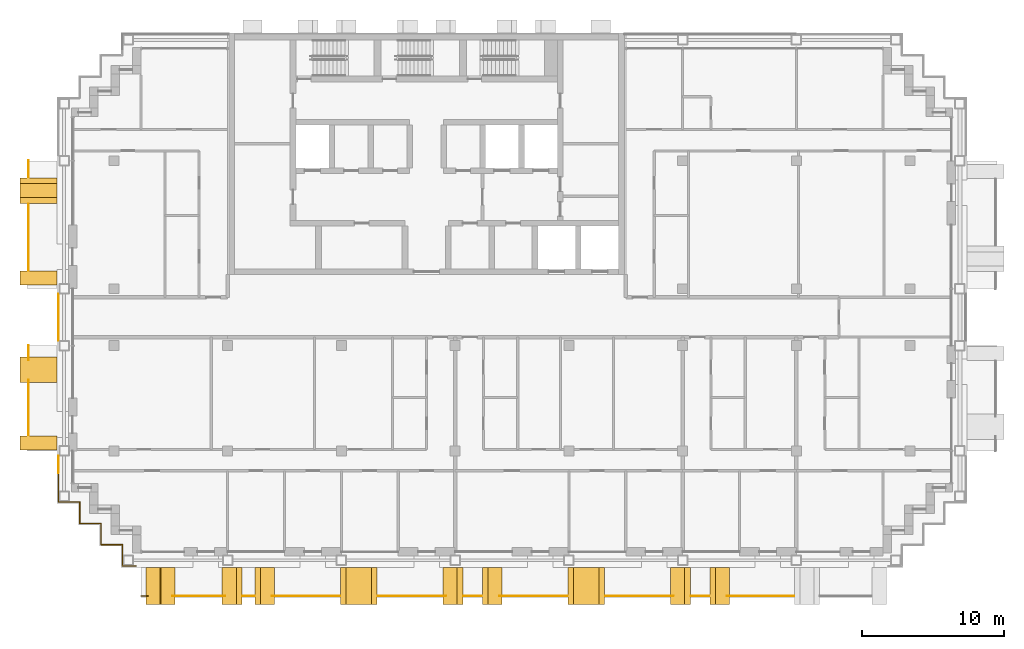
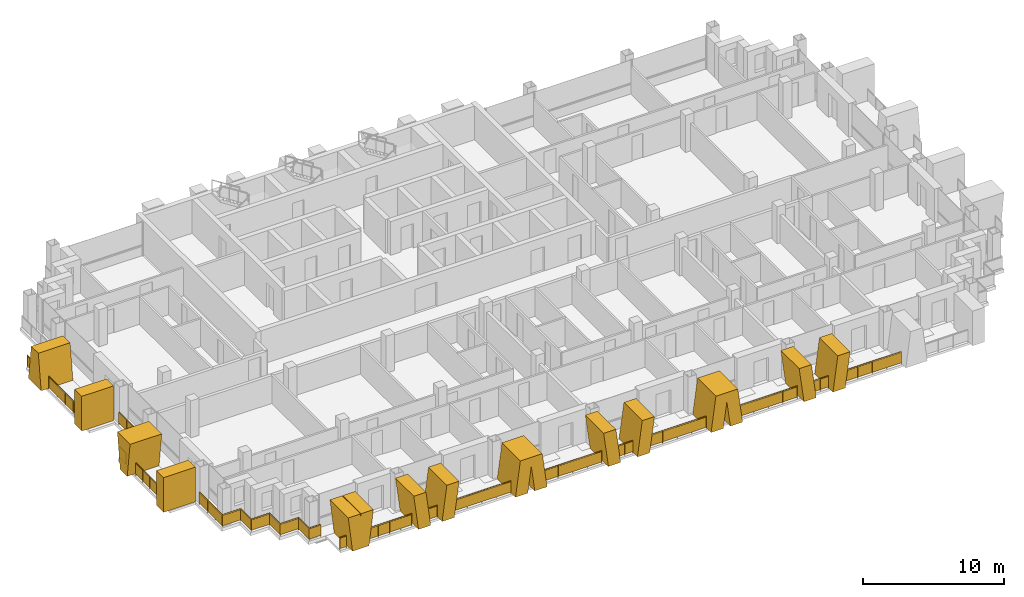
# One storey, part 13 of 16: 17 railings, 13 shading devices.
"""IFC4 building model written with IfcOpenShell, lengths in metres."""

from ifc_helpers import new_model, si_unit, direction, frame, origin, origin_2d, place, context, subcontext, project, spatial, polyline, rectangle, circle, outline, extrude, material, layer, layer_set, type_object, element, save


model = new_model("IFC4")

# Units and contexts
model_context = context("Model", 3, precision=1e-05, world=origin(), true_north=direction((0.0, 1.0)))
body_context = subcontext(model_context, "Body", "Model", "MODEL_VIEW")
ifc_project = project(units=[si_unit("LENGTHUNIT", "METRE"), si_unit("AREAUNIT", "SQUARE_METRE"), si_unit("VOLUMEUNIT", "CUBIC_METRE"), si_unit("PLANEANGLEUNIT", "RADIAN"), si_unit("MASSUNIT", "GRAM", prefix="KILO")], contexts=[model_context])

# Site, building, storey
site_placement = place(None, origin())
site = spatial("IfcSite", under=ifc_project, at=site_placement, CompositionType="ELEMENT")
building_placement = place(site_placement, origin())
building = spatial("IfcBuilding", under=site, at=building_placement, Name="Vidyagriha Tower", CompositionType="ELEMENT")
storey_placement = place(building_placement, frame((0.0, 0.0, 174.89990234375)))
storey = spatial("IfcBuildingStorey", under=building, at=storey_placement, Name="L45", CompositionType="ELEMENT", Elevation=174.89990234375)

# Railings
ifc_material_1 = material(Name="Steel ASTM A500 Grade C black painted", Category="steel")
railing_type_1 = type_object("IfcRailingType", Name="Balcony guard 1100", PredefinedType="BALUSTRADE", material=ifc_material_1)
railing_1_placement = place(storey_placement, frame((-28.0, 11.0, 0.0)))
element("IfcRailing", 1, at=railing_1_placement, inside=storey, type_object=railing_type_1, Name="Balcony guard L45 R16.1-1", PredefinedType="BALUSTRADE", context=body_context, shape_type="SweptSolid", body=[
    extrude(circle(Radius=0.02490234375, at=origin_2d()), frame((0.0, 0.0, 1.0751953125), z_axis=(0.0, -1.0, 0.0), x_axis=(1.0, 0.0, 0.0)), (0.0, 0.0, 1.0), 1.14990234375),
    extrude(circle(Radius=0.02001953125, at=origin_2d()), origin(), (0.0, 0.0, 1.0), 1.050048828125),
    extrude(circle(Radius=0.02001953125, at=origin_2d()), frame((0.0, -1.14990234375, 0.0)), (0.0, 0.0, 1.0), 1.050048828125),
    extrude(rectangle(XDim=0.010009765625, YDim=0.900146484375, at=origin_2d()), frame((0.0, 0.0, 0.550048828125), z_axis=(0.0, -1.0, 0.0), x_axis=(1.0, 0.0, 0.0)), (0.0, 0.0, 1.0), 1.14990234375),
])
railing_2_placement = place(storey_placement, frame((-28.0, 7.949951171875, 0.0)))
element("IfcRailing", 2, at=railing_2_placement, inside=storey, type_object=railing_type_1, Name="Balcony guard L45 R16.1-2", PredefinedType="BALUSTRADE", context=body_context, shape_type="SweptSolid", body=[
    extrude(circle(Radius=0.02490234375, at=origin_2d()), frame((0.0, 0.0, 1.0751953125), z_axis=(0.0, -1.0, 0.0), x_axis=(1.0, 0.0, 0.0)), (0.0, 0.0, 1.0), 4.64990234375),
    extrude(circle(Radius=0.02001953125, at=origin_2d()), origin(), (0.0, 0.0, 1.0), 1.050048828125),
    extrude(circle(Radius=0.02001953125, at=origin_2d()), frame((0.0, -1.16259765625, 0.0)), (0.0, 0.0, 1.0), 1.050048828125),
    extrude(circle(Radius=0.02001953125, at=origin_2d()), frame((0.0, -2.324951171875, 0.0)), (0.0, 0.0, 1.0), 1.050048828125),
    extrude(circle(Radius=0.02001953125, at=origin_2d()), frame((0.0, -3.4873046875, 0.0)), (0.0, 0.0, 1.0), 1.050048828125),
    extrude(circle(Radius=0.02001953125, at=origin_2d()), frame((0.0, -4.64990234375, 0.0)), (0.0, 0.0, 1.0), 1.050048828125),
    extrude(rectangle(XDim=0.010009765625, YDim=0.900146484375, at=origin_2d()), frame((0.0, 0.0, 0.550048828125), z_axis=(0.0, -1.0, 0.0), x_axis=(1.0, 0.0, 0.0)), (0.0, 0.0, 1.0), 4.64990234375),
])
railing_3_placement = place(storey_placement, frame((-28.0, -2.0, 0.0)))
element("IfcRailing", 3, at=railing_3_placement, inside=storey, type_object=railing_type_1, Name="Balcony guard L45 R16.2-1", PredefinedType="BALUSTRADE", context=body_context, shape_type="SweptSolid", body=[
    extrude(circle(Radius=0.02490234375, at=origin_2d()), frame((0.0, 0.0, 1.0751953125), z_axis=(0.0, -1.0, 0.0), x_axis=(1.0, 0.0, 0.0)), (0.0, 0.0, 1.0), 0.99658203125),
    extrude(circle(Radius=0.02001953125, at=origin_2d()), origin(), (0.0, 0.0, 1.0), 1.050048828125),
    extrude(circle(Radius=0.02001953125, at=origin_2d()), frame((0.0, -0.99658203125, 0.0)), (0.0, 0.0, 1.0), 1.050048828125),
    extrude(rectangle(XDim=0.010009765625, YDim=0.900146484375, at=origin_2d()), frame((0.0, 0.0, 0.550048828125), z_axis=(0.0, -1.0, 0.0), x_axis=(1.0, 0.0, 0.0)), (0.0, 0.0, 1.0), 0.99658203125),
])
railing_4_placement = place(storey_placement, frame((-28.0, -4.4033203125, 0.0)))
element("IfcRailing", 4, at=railing_4_placement, inside=storey, type_object=railing_type_1, Name="Balcony guard L45 R16.2-2", PredefinedType="BALUSTRADE", context=body_context, shape_type="SweptSolid", body=[
    extrude(circle(Radius=0.02490234375, at=origin_2d()), frame((0.0, 0.0, 1.0751953125), z_axis=(0.0, -1.0, 0.0), x_axis=(1.0, 0.0, 0.0)), (0.0, 0.0, 1.0), 3.896728515625),
    extrude(circle(Radius=0.02001953125, at=origin_2d()), origin(), (0.0, 0.0, 1.0), 1.050048828125),
    extrude(circle(Radius=0.02001953125, at=origin_2d()), frame((0.0, -0.97412109375, 0.0)), (0.0, 0.0, 1.0), 1.050048828125),
    extrude(circle(Radius=0.02001953125, at=origin_2d()), frame((0.0, -1.9482421875, 0.0)), (0.0, 0.0, 1.0), 1.050048828125),
    extrude(circle(Radius=0.02001953125, at=origin_2d()), frame((0.0, -2.922607421875, 0.0)), (0.0, 0.0, 1.0), 1.050048828125),
    extrude(circle(Radius=0.02001953125, at=origin_2d()), frame((0.0, -3.896728515625, 0.0)), (0.0, 0.0, 1.0), 1.050048828125),
    extrude(rectangle(XDim=0.010009765625, YDim=0.900146484375, at=origin_2d()), frame((0.0, 0.0, 0.550048828125), z_axis=(0.0, -1.0, 0.0), x_axis=(1.0, 0.0, 0.0)), (0.0, 0.0, 1.0), 3.896728515625),
])
railing_5_placement = place(storey_placement, frame((-20.10009765625, -19.60009765625, 0.0)))
element("IfcRailing", 5, at=railing_5_placement, inside=storey, type_object=railing_type_1, Name="Balcony guard L45 R23.1-1", PredefinedType="BALUSTRADE", context=body_context, shape_type="SweptSolid", body=[
    extrude(circle(Radius=0.02490234375, at=origin_2d()), frame((0.0, 0.0, 1.0751953125), z_axis=(1.0, 0.0, 0.0), x_axis=(0.0, 1.0, 0.0)), (0.0, 0.0, 1.0), 0.515869140625),
    extrude(circle(Radius=0.02001953125, at=origin_2d()), origin(), (0.0, 0.0, 1.0), 1.050048828125),
    extrude(circle(Radius=0.02001953125, at=origin_2d()), frame((0.515869140625, 0.0, 0.0)), (0.0, 0.0, 1.0), 1.050048828125),
    extrude(rectangle(XDim=0.010009765625, YDim=0.900146484375, at=origin_2d()), frame((0.0, 0.0, 0.550048828125), z_axis=(1.0, 0.0, 0.0), x_axis=(0.0, 1.0, 0.0)), (0.0, 0.0, 1.0), 0.515869140625),
])
railing_6_placement = place(storey_placement, frame((-17.86572265625, -19.60009765625, 0.0)))
element("IfcRailing", 6, at=railing_6_placement, inside=storey, type_object=railing_type_1, Name="Balcony guard L45 R23.1-2", PredefinedType="BALUSTRADE", context=body_context, shape_type="SweptSolid", body=[
    extrude(circle(Radius=0.02490234375, at=origin_2d()), frame((0.0, 0.0, 1.0751953125), z_axis=(1.0, 0.0, 0.0), x_axis=(0.0, 1.0, 0.0)), (0.0, 0.0, 1.0), 3.6650390625),
    extrude(circle(Radius=0.02001953125, at=origin_2d()), origin(), (0.0, 0.0, 1.0), 1.050048828125),
    extrude(circle(Radius=0.02001953125, at=origin_2d()), frame((0.916259765625, 0.0, 0.0)), (0.0, 0.0, 1.0), 1.050048828125),
    extrude(circle(Radius=0.02001953125, at=origin_2d()), frame((1.83251953125, 0.0, 0.0)), (0.0, 0.0, 1.0), 1.050048828125),
    extrude(circle(Radius=0.02001953125, at=origin_2d()), frame((2.748779296875, 0.0, 0.0)), (0.0, 0.0, 1.0), 1.050048828125),
    extrude(circle(Radius=0.02001953125, at=origin_2d()), frame((3.6650390625, 0.0, 0.0)), (0.0, 0.0, 1.0), 1.050048828125),
    extrude(rectangle(XDim=0.010009765625, YDim=0.900146484375, at=origin_2d()), frame((0.0, 0.0, 0.550048828125), z_axis=(1.0, 0.0, 0.0), x_axis=(0.0, 1.0, 0.0)), (0.0, 0.0, 1.0), 3.6650390625),
])
railing_7_placement = place(storey_placement, frame((-12.952880859375, -19.60009765625, 0.0)))
element("IfcRailing", 7, at=railing_7_placement, inside=storey, type_object=railing_type_1, Name="Balcony guard L45 R23.1-3", PredefinedType="BALUSTRADE", context=body_context, shape_type="SweptSolid", body=[
    extrude(circle(Radius=0.02490234375, at=origin_2d()), frame((0.0, 0.0, 1.0751953125), z_axis=(1.0, 0.0, 0.0), x_axis=(0.0, 1.0, 0.0)), (0.0, 0.0, 1.0), 0.83056640625),
    extrude(circle(Radius=0.02001953125, at=origin_2d()), origin(), (0.0, 0.0, 1.0), 1.050048828125),
    extrude(circle(Radius=0.02001953125, at=origin_2d()), frame((0.83056640625, 0.0, 0.0)), (0.0, 0.0, 1.0), 1.050048828125),
    extrude(rectangle(XDim=0.010009765625, YDim=0.900146484375, at=origin_2d()), frame((0.0, 0.0, 0.550048828125), z_axis=(1.0, 0.0, 0.0), x_axis=(0.0, 1.0, 0.0)), (0.0, 0.0, 1.0), 0.83056640625),
])
railing_8_placement = place(storey_placement, frame((-10.874267578125, -19.60009765625, 0.0)))
element("IfcRailing", 8, at=railing_8_placement, inside=storey, type_object=railing_type_1, Name="Balcony guard L45 R23.1-4", PredefinedType="BALUSTRADE", context=body_context, shape_type="SweptSolid", body=[
    extrude(circle(Radius=0.02490234375, at=origin_2d()), frame((0.0, 0.0, 1.0751953125), z_axis=(1.0, 0.0, 0.0), x_axis=(0.0, 1.0, 0.0)), (0.0, 0.0, 1.0), 4.75927734375),
    extrude(circle(Radius=0.02001953125, at=origin_2d()), origin(), (0.0, 0.0, 1.0), 1.050048828125),
    extrude(circle(Radius=0.02001953125, at=origin_2d()), frame((1.18994140625, 0.0, 0.0)), (0.0, 0.0, 1.0), 1.050048828125),
    extrude(circle(Radius=0.02001953125, at=origin_2d()), frame((2.379638671875, 0.0, 0.0)), (0.0, 0.0, 1.0), 1.050048828125),
    extrude(circle(Radius=0.02001953125, at=origin_2d()), frame((3.5693359375, 0.0, 0.0)), (0.0, 0.0, 1.0), 1.050048828125),
    extrude(circle(Radius=0.02001953125, at=origin_2d()), frame((4.75927734375, 0.0, 0.0)), (0.0, 0.0, 1.0), 1.050048828125),
    extrude(rectangle(XDim=0.010009765625, YDim=0.900146484375, at=origin_2d()), frame((0.0, 0.0, 0.550048828125), z_axis=(1.0, 0.0, 0.0), x_axis=(0.0, 1.0, 0.0)), (0.0, 0.0, 1.0), 4.75927734375),
])
railing_9_placement = place(storey_placement, frame((-3.43505859375, -19.60009765625, 0.0)))
element("IfcRailing", 9, at=railing_9_placement, inside=storey, type_object=railing_type_1, Name="Balcony guard L45 R23.1-5", PredefinedType="BALUSTRADE", context=body_context, shape_type="SweptSolid", body=[
    extrude(circle(Radius=0.02490234375, at=origin_2d()), frame((0.0, 0.0, 1.0751953125), z_axis=(1.0, 0.0, 0.0), x_axis=(0.0, 1.0, 0.0)), (0.0, 0.0, 1.0), 4.773681640625),
    extrude(circle(Radius=0.02001953125, at=origin_2d()), origin(), (0.0, 0.0, 1.0), 1.050048828125),
    extrude(circle(Radius=0.02001953125, at=origin_2d()), frame((1.193359375, 0.0, 0.0)), (0.0, 0.0, 1.0), 1.050048828125),
    extrude(circle(Radius=0.02001953125, at=origin_2d()), frame((2.38671875, 0.0, 0.0)), (0.0, 0.0, 1.0), 1.050048828125),
    extrude(circle(Radius=0.02001953125, at=origin_2d()), frame((3.580322265625, 0.0, 0.0)), (0.0, 0.0, 1.0), 1.050048828125),
    extrude(circle(Radius=0.02001953125, at=origin_2d()), frame((4.773681640625, 0.0, 0.0)), (0.0, 0.0, 1.0), 1.050048828125),
    extrude(rectangle(XDim=0.010009765625, YDim=0.900146484375, at=origin_2d()), frame((0.0, 0.0, 0.550048828125), z_axis=(1.0, 0.0, 0.0), x_axis=(0.0, 1.0, 0.0)), (0.0, 0.0, 1.0), 4.773681640625),
])
railing_10_placement = place(storey_placement, frame((2.590087890625, -19.60009765625, 0.0)))
element("IfcRailing", 10, at=railing_10_placement, inside=storey, type_object=railing_type_1, Name="Balcony guard L45 R23.1-6", PredefinedType="BALUSTRADE", context=body_context, shape_type="SweptSolid", body=[
    extrude(circle(Radius=0.02490234375, at=origin_2d()), frame((0.0, 0.0, 1.0751953125), z_axis=(1.0, 0.0, 0.0), x_axis=(0.0, 1.0, 0.0)), (0.0, 0.0, 1.0), 1.27001953125),
    extrude(circle(Radius=0.02001953125, at=origin_2d()), origin(), (0.0, 0.0, 1.0), 1.050048828125),
    extrude(circle(Radius=0.02001953125, at=origin_2d()), frame((0.635009765625, 0.0, 0.0)), (0.0, 0.0, 1.0), 1.050048828125),
    extrude(circle(Radius=0.02001953125, at=origin_2d()), frame((1.27001953125, 0.0, 0.0)), (0.0, 0.0, 1.0), 1.050048828125),
    extrude(rectangle(XDim=0.010009765625, YDim=0.900146484375, at=origin_2d()), frame((0.0, 0.0, 0.550048828125), z_axis=(1.0, 0.0, 0.0), x_axis=(0.0, 1.0, 0.0)), (0.0, 0.0, 1.0), 1.27001953125),
])
for number, where, name in (
    (11, (5.111328125, -19.60009765625, 0.0), "Balcony guard L45 R23.1-7"),
    (12, (12.56494140625, -19.60009765625, 0.0), "Balcony guard L45 R23.1-8"),
):
    element("IfcRailing", number, at=place(storey_placement, frame(where)), inside=storey, type_object=railing_type_1, Name=name, PredefinedType="BALUSTRADE", context=body_context, shape_type="SweptSolid", body=[
        extrude(circle(Radius=0.02490234375, at=origin_2d()), frame((0.0, 0.0, 1.0751953125), z_axis=(1.0, 0.0, 0.0), x_axis=(0.0, 1.0, 0.0)), (0.0, 0.0, 1.0), 4.773681640625),
        extrude(circle(Radius=0.02001953125, at=origin_2d()), origin(), (0.0, 0.0, 1.0), 1.050048828125),
        extrude(circle(Radius=0.02001953125, at=origin_2d()), frame((1.193359375, 0.0, 0.0)), (0.0, 0.0, 1.0), 1.050048828125),
        extrude(circle(Radius=0.02001953125, at=origin_2d()), frame((2.38671875, 0.0, 0.0)), (0.0, 0.0, 1.0), 1.050048828125),
        extrude(circle(Radius=0.02001953125, at=origin_2d()), frame((3.580322265625, 0.0, 0.0)), (0.0, 0.0, 1.0), 1.050048828125),
        extrude(circle(Radius=0.02001953125, at=origin_2d()), frame((4.773681640625, 0.0, 0.0)), (0.0, 0.0, 1.0), 1.050048828125),
        extrude(rectangle(XDim=0.010009765625, YDim=0.900146484375, at=origin_2d()), frame((0.0, 0.0, 0.550048828125), z_axis=(1.0, 0.0, 0.0), x_axis=(0.0, 1.0, 0.0)), (0.0, 0.0, 1.0), 4.773681640625),
    ])
railing_11_placement = place(storey_placement, frame((18.590087890625, -19.60009765625, 0.0)))
element("IfcRailing", 13, at=railing_11_placement, inside=storey, type_object=railing_type_1, Name="Balcony guard L45 R23.1-9", PredefinedType="BALUSTRADE", context=body_context, shape_type="SweptSolid", body=[
    extrude(circle(Radius=0.02490234375, at=origin_2d()), frame((0.0, 0.0, 1.0751953125), z_axis=(1.0, 0.0, 0.0), x_axis=(0.0, 1.0, 0.0)), (0.0, 0.0, 1.0), 1.27001953125),
    extrude(circle(Radius=0.02001953125, at=origin_2d()), origin(), (0.0, 0.0, 1.0), 1.050048828125),
    extrude(circle(Radius=0.02001953125, at=origin_2d()), frame((0.635009765625, 0.0, 0.0)), (0.0, 0.0, 1.0), 1.050048828125),
    extrude(circle(Radius=0.02001953125, at=origin_2d()), frame((1.27001953125, 0.0, 0.0)), (0.0, 0.0, 1.0), 1.050048828125),
    extrude(rectangle(XDim=0.010009765625, YDim=0.900146484375, at=origin_2d()), frame((0.0, 0.0, 0.550048828125), z_axis=(1.0, 0.0, 0.0), x_axis=(0.0, 1.0, 0.0)), (0.0, 0.0, 1.0), 1.27001953125),
])
railing_12_placement = place(storey_placement, frame((21.111328125, -19.60009765625, 0.0)))
element("IfcRailing", 14, at=railing_12_placement, inside=storey, type_object=railing_type_1, Name="Balcony guard L45 R23.1-10", PredefinedType="BALUSTRADE", context=body_context, shape_type="SweptSolid", body=[
    extrude(circle(Radius=0.02490234375, at=origin_2d()), frame((0.0, 0.0, 1.0751953125), z_axis=(1.0, 0.0, 0.0), x_axis=(0.0, 1.0, 0.0)), (0.0, 0.0, 1.0), 4.713623046875),
    extrude(circle(Radius=0.02001953125, at=origin_2d()), origin(), (0.0, 0.0, 1.0), 1.050048828125),
    extrude(circle(Radius=0.02001953125, at=origin_2d()), frame((1.178466796875, 0.0, 0.0)), (0.0, 0.0, 1.0), 1.050048828125),
    extrude(circle(Radius=0.02001953125, at=origin_2d()), frame((2.35693359375, 0.0, 0.0)), (0.0, 0.0, 1.0), 1.050048828125),
    extrude(circle(Radius=0.02001953125, at=origin_2d()), frame((3.53515625, 0.0, 0.0)), (0.0, 0.0, 1.0), 1.050048828125),
    extrude(circle(Radius=0.02001953125, at=origin_2d()), frame((4.713623046875, 0.0, 0.0)), (0.0, 0.0, 1.0), 1.050048828125),
    extrude(rectangle(XDim=0.010009765625, YDim=0.900146484375, at=origin_2d()), frame((0.0, 0.0, 0.550048828125), z_axis=(1.0, 0.0, 0.0), x_axis=(0.0, 1.0, 0.0)), (0.0, 0.0, 1.0), 4.713623046875),
])

# Shading devices
ifc_material_2 = material(Name="Precast concrete C40/50 with buff brick facing", Category="concrete")
ifc_layer_1 = layer(ifc_material_2, 1.0)
ifc_layer_set_1 = layer_set([ifc_layer_1], Name="Precast concrete C40/50 with buff brick facing")
shading_device_type_1 = type_object("IfcShadingDeviceType", Name="Brick-faced blade fin arm leaning 8 degrees", PredefinedType="USERDEFINED", material=ifc_layer_set_1)
shading_device_1_placement = place(storey_placement, frame((-12.072265625, -18.89990234375, 0.0)))
element("IfcShadingDevice", 15, at=shading_device_1_placement, inside=storey, type_object=shading_device_type_1, Name="Leaning blade fin L45 R23.610a", ObjectType="BLADE FIN", PredefinedType="USERDEFINED", context=body_context, shape_type="SweptSolid", body=[
    extrude(outline(polyline([(0.0, 0.0), (1.0, 0.0), (1.385986328125, 3.0), (0.385986328125, 3.0), (0.0, 0.0)])), frame((0.0, 1.300048828125, 0.0), z_axis=(0.0, -1.0, 0.0), x_axis=(1.0, 0.0, 0.0)), (0.0, 0.0, 1.0), 2.60009765625),
])
shading_device_2_placement = place(storey_placement, frame((-14.388916015625, -18.89990234375, 0.0)))
element("IfcShadingDevice", 16, at=shading_device_2_placement, inside=storey, type_object=shading_device_type_1, Name="Leaning blade fin L45 R23.610b", ObjectType="BLADE FIN", PredefinedType="USERDEFINED", context=body_context, shape_type="SweptSolid", body=[
    extrude(outline(polyline([(0.385986328125, 0.0), (1.385986328125, 0.0), (1.0, 3.0), (0.0, 3.0), (0.385986328125, 0.0)])), frame((0.0, 1.300048828125, 0.0), z_axis=(0.0, -1.0, 0.0), x_axis=(1.0, 0.0, 0.0)), (0.0, 0.0, 1.0), 2.60009765625),
])
shading_device_3_placement = place(storey_placement, frame((3.909912109375, -18.89990234375, 0.0)))
element("IfcShadingDevice", 17, at=shading_device_3_placement, inside=storey, type_object=shading_device_type_1, Name="Leaning blade fin L45 R23.2210a", ObjectType="BLADE FIN", PredefinedType="USERDEFINED", context=body_context, shape_type="SweptSolid", body=[
    extrude(outline(polyline([(0.0, 0.0), (1.0, 0.0), (1.39501953125, 3.0), (0.39501953125, 3.0), (0.0, 0.0)])), frame((0.0, 1.300048828125, 0.0), z_axis=(0.0, -1.0, 0.0), x_axis=(1.0, 0.0, 0.0)), (0.0, 0.0, 1.0), 2.60009765625),
])
shading_device_4_placement = place(storey_placement, frame((1.14501953125, -18.89990234375, 0.0)))
element("IfcShadingDevice", 18, at=shading_device_4_placement, inside=storey, type_object=shading_device_type_1, Name="Leaning blade fin L45 R23.2210b", ObjectType="BLADE FIN", PredefinedType="USERDEFINED", context=body_context, shape_type="SweptSolid", body=[
    extrude(outline(polyline([(0.39501953125, 0.0), (1.39501953125, 0.0), (1.0, 3.0), (0.0, 3.0), (0.39501953125, 0.0)])), frame((0.0, 1.300048828125, 0.0), z_axis=(0.0, -1.0, 0.0), x_axis=(1.0, 0.0, 0.0)), (0.0, 0.0, 1.0), 2.60009765625),
])
shading_device_5_placement = place(storey_placement, frame((19.909912109375, -18.89990234375, 0.0)))
element("IfcShadingDevice", 19, at=shading_device_5_placement, inside=storey, type_object=shading_device_type_1, Name="Leaning blade fin L45 R23.3810a", ObjectType="BLADE FIN", PredefinedType="USERDEFINED", context=body_context, shape_type="SweptSolid", body=[
    extrude(outline(polyline([(0.0, 0.0), (1.0, 0.0), (1.39501953125, 3.0), (0.39501953125, 3.0), (0.0, 0.0)])), frame((0.0, 1.300048828125, 0.0), z_axis=(0.0, -1.0, 0.0), x_axis=(1.0, 0.0, 0.0)), (0.0, 0.0, 1.0), 2.60009765625),
])
shading_device_6_placement = place(storey_placement, frame((17.14501953125, -18.89990234375, 0.0)))
element("IfcShadingDevice", 20, at=shading_device_6_placement, inside=storey, type_object=shading_device_type_1, Name="Leaning blade fin L45 R23.3810b", ObjectType="BLADE FIN", PredefinedType="USERDEFINED", context=body_context, shape_type="SweptSolid", body=[
    extrude(outline(polyline([(0.39501953125, 0.0), (1.39501953125, 0.0), (1.0, 3.0), (0.0, 3.0), (0.39501953125, 0.0)])), frame((0.0, 1.300048828125, 0.0), z_axis=(0.0, -1.0, 0.0), x_axis=(1.0, 0.0, 0.0)), (0.0, 0.0, 1.0), 2.60009765625),
])
ifc_material_3 = material(Name="Precast concrete C40/50 with buff brick facing", Category="concrete")
ifc_layer_2 = layer(ifc_material_3, 1.0)
ifc_layer_set_2 = layer_set([ifc_layer_2], Name="Precast concrete C40/50 with buff brick facing")
shading_device_type_2 = type_object("IfcShadingDeviceType", Name="Brick-faced blade fin forking 8 degrees", PredefinedType="USERDEFINED", material=ifc_layer_set_2)
shading_device_7_placement = place(storey_placement, frame((-27.300048828125, 9.800048828125, 0.0), z_axis=(0.0, 0.0, 1.0), x_axis=(0.0, -1.0, 0.0)))
element("IfcShadingDevice", 21, at=shading_device_7_placement, inside=storey, type_object=shading_device_type_2, Name="Forked blade fin L45 R16.310a", ObjectType="BLADE FIN", PredefinedType="USERDEFINED", context=body_context, shape_type="SweptSolid", body=[
    extrude(outline(polyline([(0.0, 0.0), (1.800048828125, 0.0), (1.39990234375, 3.0), (0.39990234375, 3.0), (0.0, 0.0)])), frame((0.0, 1.300048828125, 0.0), z_axis=(0.0, -1.0, 0.0), x_axis=(1.0, 0.0, 0.0)), (0.0, 0.0, 1.0), 2.60009765625),
])
shading_device_8_placement = place(storey_placement, frame((-27.300048828125, -2.800048828125, 0.0), z_axis=(0.0, 0.0, 1.0), x_axis=(0.0, -1.0, 0.0)))
element("IfcShadingDevice", 22, at=shading_device_8_placement, inside=storey, type_object=shading_device_type_2, Name="Forked blade fin L45 R16.1610a", ObjectType="BLADE FIN", PredefinedType="USERDEFINED", context=body_context, shape_type="SweptSolid", body=[
    extrude(outline(polyline([(0.39990234375, 0.0), (1.39990234375, 0.0), (1.800048828125, 3.0), (0.0, 3.0), (0.39990234375, 0.0)])), frame((0.0, 1.300048828125, 0.0), z_axis=(0.0, -1.0, 0.0), x_axis=(1.0, 0.0, 0.0)), (0.0, 0.0, 1.0), 2.60009765625),
])
shading_device_9_placement = place(storey_placement, frame((-19.75, -18.89990234375, 0.0)))
element("IfcShadingDevice", 23, at=shading_device_9_placement, inside=storey, type_object=shading_device_type_2, Name="Forked blade fin L45 R23.0a", ObjectType="BLADE FIN", PredefinedType="USERDEFINED", context=body_context, shape_type="SweptSolid", body=[
    extrude(outline(polyline([(0.35009765625, 0.0), (1.699951171875, 0.0), (2.050048828125, 3.0), (1.050048828125, 3.0), (1.02490234375, 2.785888671875), (1.0, 3.0), (0.0, 3.0), (0.35009765625, 0.0)])), frame((0.0, 1.300048828125, 0.0), z_axis=(0.0, -1.0, 0.0), x_axis=(1.0, 0.0, 0.0)), (0.0, 0.0, 1.0), 2.60009765625),
])
for number, where, name in (
    (24, (-6.06494140625, -18.89990234375, 0.0), "Forked blade fin L45 R23.1410a"),
    (25, (9.93505859375, -18.89990234375, 0.0), "Forked blade fin L45 R23.3010a"),
):
    element("IfcShadingDevice", number, at=place(storey_placement, frame(where)), inside=storey, type_object=shading_device_type_2, Name=name, ObjectType="BLADE FIN", PredefinedType="USERDEFINED", context=body_context, shape_type="SweptSolid", body=[
        extrude(outline(polyline([(1.0, 0.0), (1.2900390625, 2.20263671875), (1.580078125, 0.0), (2.580078125, 0.0), (2.18505859375, 3.0), (0.39501953125, 3.0), (0.0, 0.0), (1.0, 0.0)])), frame((0.0, 1.300048828125, 0.0), z_axis=(0.0, -1.0, 0.0), x_axis=(1.0, 0.0, 0.0)), (0.0, 0.0, 1.0), 2.60009765625),
    ])
ifc_material_4 = material(Name="Precast concrete C40/50 with buff brick facing", Category="concrete")
ifc_layer_3 = layer(ifc_material_4, 1.0)
ifc_layer_set_3 = layer_set([ifc_layer_3], Name="Precast concrete C40/50 with buff brick facing")
shading_device_type_3 = type_object("IfcShadingDeviceType", Name="Brick-faced blade fin stem 1000", PredefinedType="USERDEFINED", material=ifc_layer_set_3)
for number, where, z_axis, x_axis, name in (
    (26, (-27.300048828125, 3.25, 0.0), (0.0, 0.0, 1.0), (0.0, -1.0, 0.0), "Stem blade fin L45 R16.1210a"),
    (27, (-27.300048828125, -8.35009765625, 0.0), (0.0, 0.0, 1.0), (0.0, -1.0, 0.0), "Stem blade fin L45 R16.2350a"),
):
    element("IfcShadingDevice", number, at=place(storey_placement, frame(where, z_axis=z_axis, x_axis=x_axis)), inside=storey, type_object=shading_device_type_3, Name=name, ObjectType="BLADE FIN", PredefinedType="USERDEFINED", context=body_context, shape_type="SweptSolid", body=[
        extrude(outline(polyline([(0.0, 0.0), (1.0, 0.0), (1.0, 3.0), (0.0, 3.0), (0.0, 0.0)])), frame((0.0, 1.300048828125, 0.0), z_axis=(0.0, -1.0, 0.0), x_axis=(1.0, 0.0, 0.0)), (0.0, 0.0, 1.0), 2.60009765625),
    ])

# Railings
ifc_material_5 = material(Name="Steel ASTM A500 Grade C black painted", Category="steel")
railing_type_2 = type_object("IfcRailingType", Name="Gallery guard 1100", PredefinedType="GUARDRAIL", material=ifc_material_5)
railing_13_placement = place(storey_placement, frame((-20.4599609375, -17.5, 0.0)))
element("IfcRailing", 28, at=railing_13_placement, inside=storey, type_object=railing_type_2, Name="Gallery guard L45 1", PredefinedType="GUARDRAIL", context=body_context, shape_type="SweptSolid", body=[
    extrude(circle(Radius=0.02490234375, at=origin_2d()), frame((0.0, 0.0, 1.0751953125), z_axis=(-1.0, 0.0, 0.0), x_axis=(0.0, -1.0, 0.0)), (0.0, 0.0, 1.0), 0.93994140625),
    extrude(circle(Radius=0.02490234375, at=origin_2d()), frame((-0.93994140625, 0.0, 1.0751953125), z_axis=(0.0, 1.0, 0.0), x_axis=(-1.0, 0.0, 0.0)), (0.0, 0.0, 1.0), 1.5),
    extrude(circle(Radius=0.02490234375, at=origin_2d()), frame((-0.93994140625, 1.5, 1.0751953125), z_axis=(-1.0, 0.0, 0.0), x_axis=(0.0, -1.0, 0.0)), (0.0, 0.0, 1.0), 1.5),
    extrude(circle(Radius=0.02490234375, at=origin_2d()), frame((-2.43994140625, 1.5, 1.0751953125), z_axis=(0.0, 1.0, 0.0), x_axis=(-1.0, 0.0, 0.0)), (0.0, 0.0, 1.0), 1.5),
    extrude(circle(Radius=0.02490234375, at=origin_2d()), frame((-2.43994140625, 3.0, 1.0751953125), z_axis=(-1.0, 0.0, 0.0), x_axis=(0.0, -1.0, 0.0)), (0.0, 0.0, 1.0), 1.5),
    extrude(circle(Radius=0.02490234375, at=origin_2d()), frame((-3.93994140625, 3.0, 1.0751953125), z_axis=(0.0, 1.0, 0.0), x_axis=(-1.0, 0.0, 0.0)), (0.0, 0.0, 1.0), 1.5),
    extrude(circle(Radius=0.02490234375, at=origin_2d()), frame((-3.93994140625, 4.5, 1.0751953125), z_axis=(-1.0, 0.0, 0.0), x_axis=(0.0, -1.0, 0.0)), (0.0, 0.0, 1.0), 1.5),
    extrude(circle(Radius=0.02490234375, at=origin_2d()), frame((-5.43994140625, 4.5, 1.0751953125), z_axis=(0.0, 1.0, 0.0), x_axis=(-1.0, 0.0, 0.0)), (0.0, 0.0, 1.0), 2.06005859375),
    extrude(circle(Radius=0.02001953125, at=origin_2d()), origin(), (0.0, 0.0, 1.0), 1.050048828125),
    extrude(circle(Radius=0.02001953125, at=origin_2d()), frame((-0.93994140625, 0.0, 0.0)), (0.0, 0.0, 1.0), 1.050048828125),
    extrude(circle(Radius=0.02001953125, at=origin_2d()), frame((-0.93994140625, 1.5, 0.0)), (0.0, 0.0, 1.0), 1.050048828125),
    extrude(circle(Radius=0.02001953125, at=origin_2d()), frame((-2.43994140625, 1.5, 0.0)), (0.0, 0.0, 1.0), 1.050048828125),
    extrude(circle(Radius=0.02001953125, at=origin_2d()), frame((-2.43994140625, 3.0, 0.0)), (0.0, 0.0, 1.0), 1.050048828125),
    extrude(circle(Radius=0.02001953125, at=origin_2d()), frame((-3.93994140625, 3.0, 0.0)), (0.0, 0.0, 1.0), 1.050048828125),
    extrude(circle(Radius=0.02001953125, at=origin_2d()), frame((-3.93994140625, 4.5, 0.0)), (0.0, 0.0, 1.0), 1.050048828125),
    extrude(circle(Radius=0.02001953125, at=origin_2d()), frame((-5.43994140625, 4.5, 0.0)), (0.0, 0.0, 1.0), 1.050048828125),
    extrude(circle(Radius=0.02001953125, at=origin_2d()), frame((-5.43994140625, 5.530029296875, 0.0)), (0.0, 0.0, 1.0), 1.050048828125),
    extrude(circle(Radius=0.02001953125, at=origin_2d()), frame((-5.43994140625, 6.56005859375, 0.0)), (0.0, 0.0, 1.0), 1.050048828125),
    extrude(rectangle(XDim=0.010009765625, YDim=0.900146484375, at=origin_2d()), frame((0.0, 0.0, 0.550048828125), z_axis=(-1.0, 0.0, 0.0), x_axis=(0.0, -1.0, 0.0)), (0.0, 0.0, 1.0), 0.93994140625),
    extrude(rectangle(XDim=0.010009765625, YDim=0.900146484375, at=origin_2d()), frame((-0.93994140625, 0.0, 0.550048828125), z_axis=(0.0, 1.0, 0.0), x_axis=(-1.0, 0.0, 0.0)), (0.0, 0.0, 1.0), 1.5),
    extrude(rectangle(XDim=0.010009765625, YDim=0.900146484375, at=origin_2d()), frame((-0.93994140625, 1.5, 0.550048828125), z_axis=(-1.0, 0.0, 0.0), x_axis=(0.0, -1.0, 0.0)), (0.0, 0.0, 1.0), 1.5),
    extrude(rectangle(XDim=0.010009765625, YDim=0.900146484375, at=origin_2d()), frame((-2.43994140625, 1.5, 0.550048828125), z_axis=(0.0, 1.0, 0.0), x_axis=(-1.0, 0.0, 0.0)), (0.0, 0.0, 1.0), 1.5),
    extrude(rectangle(XDim=0.010009765625, YDim=0.900146484375, at=origin_2d()), frame((-2.43994140625, 3.0, 0.550048828125), z_axis=(-1.0, 0.0, 0.0), x_axis=(0.0, -1.0, 0.0)), (0.0, 0.0, 1.0), 1.5),
    extrude(rectangle(XDim=0.010009765625, YDim=0.900146484375, at=origin_2d()), frame((-3.93994140625, 3.0, 0.550048828125), z_axis=(0.0, 1.0, 0.0), x_axis=(-1.0, 0.0, 0.0)), (0.0, 0.0, 1.0), 1.5),
    extrude(rectangle(XDim=0.010009765625, YDim=0.900146484375, at=origin_2d()), frame((-3.93994140625, 4.5, 0.550048828125), z_axis=(-1.0, 0.0, 0.0), x_axis=(0.0, -1.0, 0.0)), (0.0, 0.0, 1.0), 1.5),
    extrude(rectangle(XDim=0.010009765625, YDim=0.900146484375, at=origin_2d()), frame((-5.43994140625, 4.5, 0.550048828125), z_axis=(0.0, 1.0, 0.0), x_axis=(-1.0, 0.0, 0.0)), (0.0, 0.0, 1.0), 2.06005859375),
])
railing_14_placement = place(storey_placement, frame((-25.89990234375, -10.93994140625, 0.0)))
element("IfcRailing", 29, at=railing_14_placement, inside=storey, type_object=railing_type_2, Name="Gallery guard L45 2", PredefinedType="GUARDRAIL", context=body_context, shape_type="SweptSolid", body=[
    extrude(circle(Radius=0.02490234375, at=origin_2d()), frame((0.0, 0.0, 1.0751953125), z_axis=(0.0, 1.0, 0.0), x_axis=(-1.0, 0.0, 0.0)), (0.0, 0.0, 1.0), 1.179931640625),
    extrude(circle(Radius=0.02001953125, at=origin_2d()), origin(), (0.0, 0.0, 1.0), 1.050048828125),
    extrude(circle(Radius=0.02001953125, at=origin_2d()), frame((0.0, 1.179931640625, 0.0)), (0.0, 0.0, 1.0), 1.050048828125),
    extrude(rectangle(XDim=0.010009765625, YDim=0.900146484375, at=origin_2d()), frame((0.0, 0.0, 0.550048828125), z_axis=(0.0, 1.0, 0.0), x_axis=(-1.0, 0.0, 0.0)), (0.0, 0.0, 1.0), 1.179931640625),
])
railing_15_placement = place(storey_placement, frame((-25.89990234375, -1.639892578125, 0.0)))
element("IfcRailing", 30, at=railing_15_placement, inside=storey, type_object=railing_type_2, Name="Gallery guard L45 3", PredefinedType="GUARDRAIL", context=body_context, shape_type="SweptSolid", body=[
    extrude(circle(Radius=0.02490234375, at=origin_2d()), frame((0.0, 0.0, 1.0751953125), z_axis=(0.0, 1.0, 0.0), x_axis=(-1.0, 0.0, 0.0)), (0.0, 0.0, 1.0), 3.27978515625),
    extrude(circle(Radius=0.02001953125, at=origin_2d()), origin(), (0.0, 0.0, 1.0), 1.050048828125),
    extrude(circle(Radius=0.02001953125, at=origin_2d()), frame((0.0, 1.09326171875, 0.0)), (0.0, 0.0, 1.0), 1.050048828125),
    extrude(circle(Radius=0.02001953125, at=origin_2d()), frame((0.0, 2.1865234375, 0.0)), (0.0, 0.0, 1.0), 1.050048828125),
    extrude(circle(Radius=0.02001953125, at=origin_2d()), frame((0.0, 3.27978515625, 0.0)), (0.0, 0.0, 1.0), 1.050048828125),
    extrude(rectangle(XDim=0.010009765625, YDim=0.900146484375, at=origin_2d()), frame((0.0, 0.0, 0.550048828125), z_axis=(0.0, 1.0, 0.0), x_axis=(-1.0, 0.0, 0.0)), (0.0, 0.0, 1.0), 3.27978515625),
])

save(model, "model.ifc")
